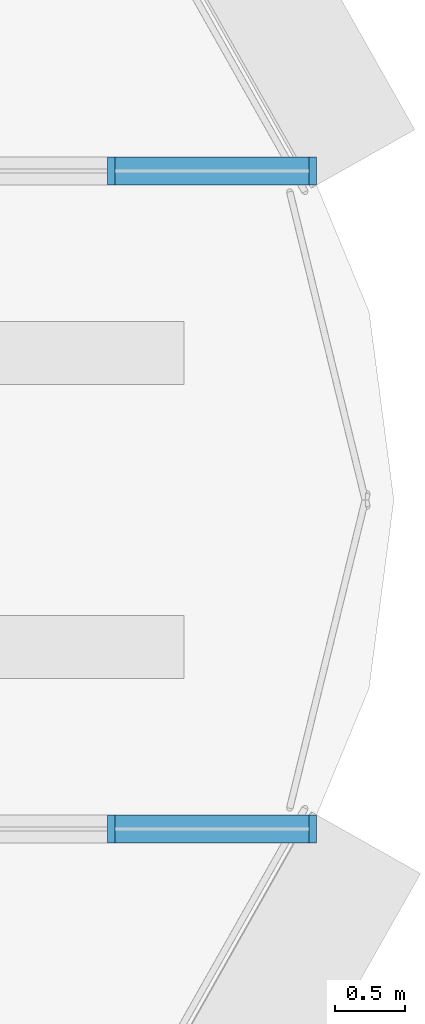
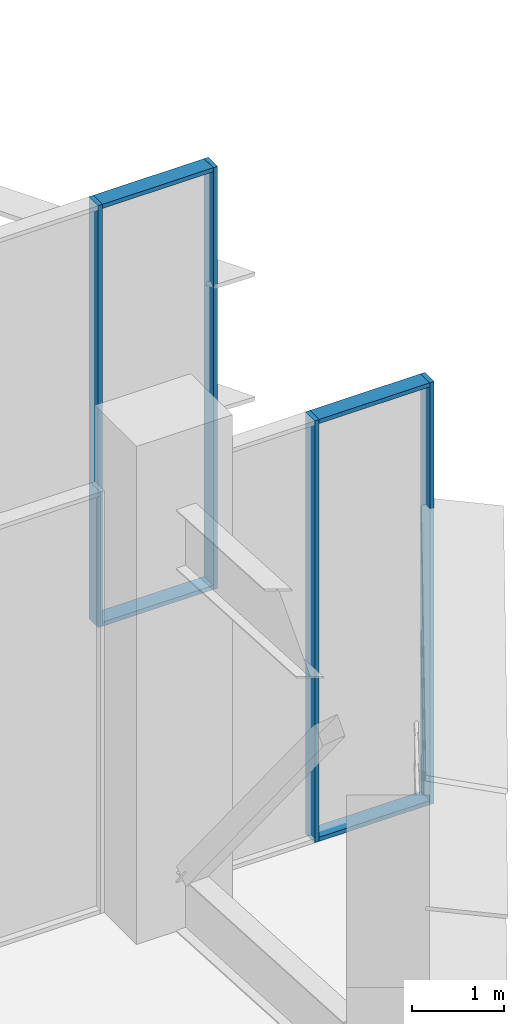
# One storey, part 5 of 19: 8 members, 2 elements without a shape of their own.
"""IFC4 building model written with IfcOpenShell, lengths in metres."""

from ifc_helpers import new_model, si_unit, direction, frame, origin, origin_2d, place, context, subcontext, project, spatial, rectangle, extrude, material, layer, layer_set, material_profile, profile_set, type_object, element, aggregate, save


model = new_model("IFC4")

# Units and contexts
model_context = context("Model", 3, precision=1e-05, world=origin(), true_north=direction((0.0, 1.0)))
body_context = subcontext(model_context, "Body", "Model", "MODEL_VIEW")
ifc_project = project(units=[si_unit("LENGTHUNIT", "METRE"), si_unit("AREAUNIT", "SQUARE_METRE"), si_unit("VOLUMEUNIT", "CUBIC_METRE"), si_unit("PLANEANGLEUNIT", "RADIAN"), si_unit("MASSUNIT", "GRAM", prefix="KILO")], contexts=[model_context])

# Site, building, storey
site_placement = place(None, origin())
site = spatial("IfcSite", under=ifc_project, at=site_placement, CompositionType="ELEMENT")
building_placement = place(site_placement, origin())
building = spatial("IfcBuilding", under=site, at=building_placement, Name="Nakaniwa Court", CompositionType="ELEMENT")
storey_placement = place(building_placement, frame((0.0, 0.0, 219.60009765625)))
storey = spatial("IfcBuildingStorey", under=building, at=storey_placement, Name="S4", CompositionType="ELEMENT", Elevation=219.60009765625)

# Curtain wall, members
ifc_material_1 = material(Name="Black anodised aluminium frame with dark low-E laminated double glazing", Category="aluminium")
ifc_layer = layer(ifc_material_1, 0.199951171875)
ifc_layer_set = layer_set([ifc_layer], Name="Black anodised aluminium frame with dark low-E laminated double glazing")
curtain_wall_type = type_object("IfcCurtainWallType", Name="Amenity and sky level curtain wall", PredefinedType="NOTDEFINED", material=ifc_layer_set)
curtain_wall_1_placement = place(storey_placement, origin())
curtain_wall_1 = element("IfcCurtainWall", 1, at=curtain_wall_1_placement, inside=storey, type_object=curtain_wall_type, Name="S4 curtain wall CW3 01", PredefinedType="NOTDEFINED")
ifc_material_2 = material(Name="Black anodised aluminium extrusion", Category="aluminium")
ifc_material_profile_1 = material_profile(ifc_material_2, rectangle(XDim=0.199951171875, YDim=0.054931640625, at=origin_2d()), Name="Amenity and sky level curtain wall mullion 55x200")
ifc_profile_set_1 = profile_set([ifc_material_profile_1], Name="Black anodised aluminium extrusion")
member_type_1 = type_object("IfcMemberType", Name="Amenity and sky level curtain wall mullion 55x200", PredefinedType="MULLION", material=ifc_profile_set_1)
member_1_placement = place(storey_placement, frame((103.328857421875, 82.35009765625, 0.0), z_axis=(0.0, 0.0, 1.0), x_axis=(0.0, 1.0, 0.0)))
member_1 = element("IfcMember", 2, at=member_1_placement, type_object=member_type_1, Name="CW3 mullion 2", PredefinedType="MULLION", context=body_context, shape_type="SweptSolid", body=[
    extrude(rectangle(XDim=0.199951171875, YDim=0.054931640625, at=origin_2d()), origin(), (0.0, 0.0, 1.0), 5.58984375),
])
member_2_placement = place(storey_placement, frame((104.7705078125, 82.35009765625, 0.0), z_axis=(0.0, 0.0, 1.0), x_axis=(0.0, 1.0, 0.0)))
member_2 = element("IfcMember", 3, at=member_2_placement, type_object=member_type_1, Name="CW3 mullion 3", PredefinedType="MULLION", context=body_context, shape_type="SweptSolid", body=[
    extrude(rectangle(XDim=0.199951171875, YDim=0.054931640625, at=origin_2d()), origin(), (0.0, 0.0, 1.0), 5.58984375),
])

curtain_wall_2_placement = place(storey_placement, origin())
curtain_wall_2 = element("IfcCurtainWall", 4, at=curtain_wall_2_placement, inside=storey, type_object=curtain_wall_type, Name="S4 curtain wall CW3 33", PredefinedType="NOTDEFINED")
member_3_placement = place(storey_placement, frame((104.7705078125, 77.64990234375, 0.0), z_axis=(0.0, 0.0, 1.0), x_axis=(0.0, -1.0, 0.0)))
member_3 = element("IfcMember", 5, at=member_3_placement, type_object=member_type_1, Name="CW3 mullion 1", PredefinedType="MULLION", context=body_context, shape_type="SweptSolid", body=[
    extrude(rectangle(XDim=0.199951171875, YDim=0.054931640625, at=origin_2d()), origin(), (0.0, 0.0, 1.0), 5.58984375),
])
member_4_placement = place(storey_placement, frame((103.328857421875, 77.64990234375, 0.0), z_axis=(0.0, 0.0, 1.0), x_axis=(0.0, -1.0, 0.0)))
member_4 = element("IfcMember", 6, at=member_4_placement, type_object=member_type_1, Name="CW3 mullion 2", PredefinedType="MULLION", context=body_context, shape_type="SweptSolid", body=[
    extrude(rectangle(XDim=0.199951171875, YDim=0.054931640625, at=origin_2d()), origin(), (0.0, 0.0, 1.0), 5.58984375),
])

# Member
ifc_material_profile_2 = material_profile(ifc_material_2, rectangle(XDim=0.199951171875, YDim=0.054931640625, at=origin_2d()), Name="Amenity and sky level curtain wall transom 55x200")
ifc_profile_set_2 = profile_set([ifc_material_profile_2], Name="Black anodised aluminium extrusion")
member_type_2 = type_object("IfcMemberType", Name="Amenity and sky level curtain wall transom 55x200", PredefinedType="USERDEFINED", material=ifc_profile_set_2)
member_5_placement = place(storey_placement, frame((103.3564453125, 82.35009765625, 0.02734375), z_axis=(1.0, 0.0, 0.0), x_axis=(0.0, 1.0, 0.0)))
member_5 = element("IfcMember", 7, at=member_5_placement, type_object=member_type_2, Name="CW3 transom 2.1", ObjectType="TRANSOM", PredefinedType="USERDEFINED", context=body_context, shape_type="SweptSolid", body=[
    extrude(rectangle(XDim=0.199951171875, YDim=0.054931640625, at=origin_2d()), origin(), (0.0, 0.0, 1.0), 1.386474609375),
])

member_6_placement = place(storey_placement, frame((103.3564453125, 82.35009765625, 5.5625), z_axis=(1.0, 0.0, 0.0), x_axis=(0.0, 1.0, 0.0)))
member_6 = element("IfcMember", 8, at=member_6_placement, type_object=member_type_2, Name="CW3 transom 2.2", ObjectType="TRANSOM", PredefinedType="USERDEFINED", context=body_context, shape_type="SweptSolid", body=[
    extrude(rectangle(XDim=0.199951171875, YDim=0.054931640625, at=origin_2d()), origin(), (0.0, 0.0, 1.0), 1.386474609375),
])

aggregate(curtain_wall_1, [member_1, member_2, member_5, member_6])

member_7_placement = place(storey_placement, frame((104.742919921875, 77.64990234375, 0.02734375), z_axis=(-1.0, 0.0, 0.0), x_axis=(0.0, -1.0, 0.0)))
member_7 = element("IfcMember", 9, at=member_7_placement, type_object=member_type_2, Name="CW3 transom 1.1", ObjectType="TRANSOM", PredefinedType="USERDEFINED", context=body_context, shape_type="SweptSolid", body=[
    extrude(rectangle(XDim=0.199951171875, YDim=0.054931640625, at=origin_2d()), origin(), (0.0, 0.0, 1.0), 1.386474609375),
])

member_8_placement = place(storey_placement, frame((104.742919921875, 77.64990234375, 5.5625), z_axis=(-1.0, 0.0, 0.0), x_axis=(0.0, -1.0, 0.0)))
member_8 = element("IfcMember", 10, at=member_8_placement, type_object=member_type_2, Name="CW3 transom 1.2", ObjectType="TRANSOM", PredefinedType="USERDEFINED", context=body_context, shape_type="SweptSolid", body=[
    extrude(rectangle(XDim=0.199951171875, YDim=0.054931640625, at=origin_2d()), origin(), (0.0, 0.0, 1.0), 1.386474609375),
])

aggregate(curtain_wall_2, [member_3, member_4, member_7, member_8])

save(model, "model.ifc")
